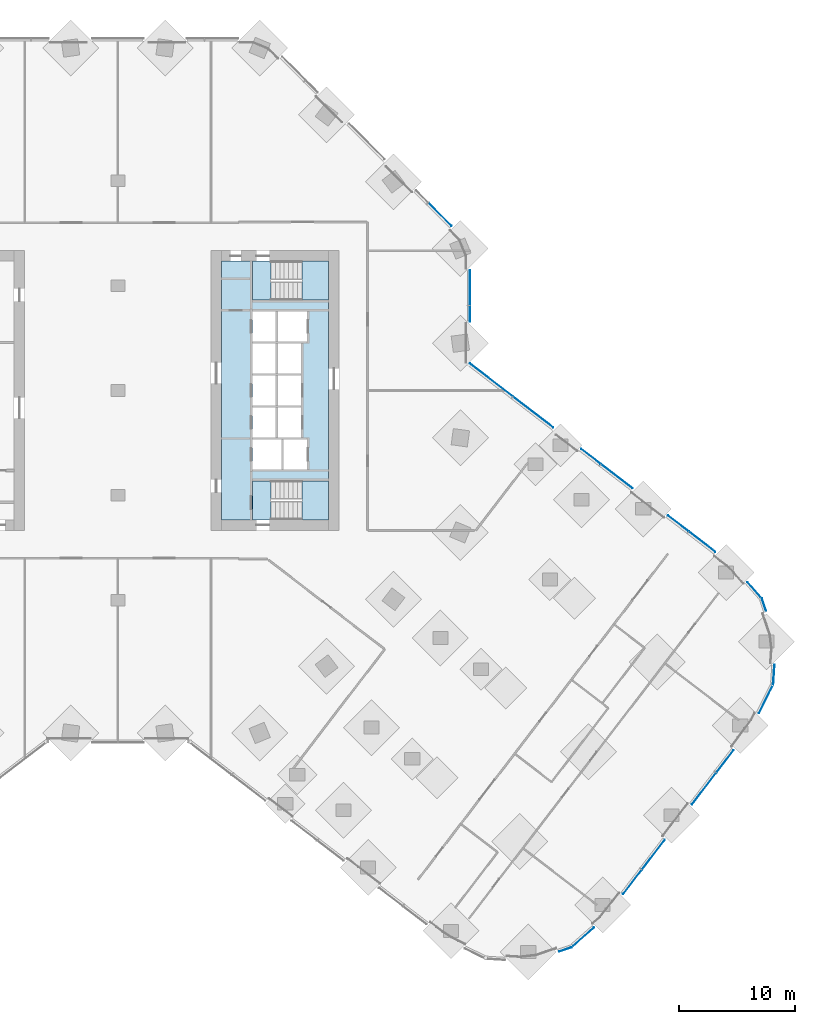
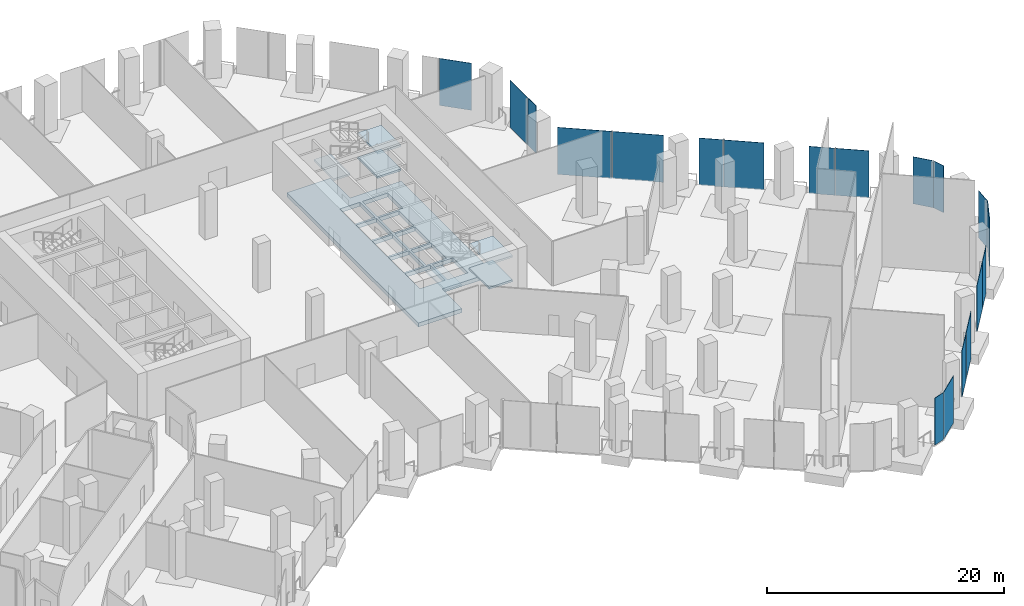
# One storey, part 16 of 27: 19 plates, 7 slabs, 12 elements without a shape of their own.
"""IFC4 building model written with IfcOpenShell, lengths in metres."""

from ifc_helpers import new_model, si_unit, direction, frame, origin, origin_2d, place, context, subcontext, project, spatial, polyline, rectangle, outline, extrude, material, layer, layer_set, type_object, element, aggregate, save


model = new_model("IFC4")

# Units and contexts
model_context = context("Model", 3, precision=1e-05, world=origin(), true_north=direction((0.0, 1.0)))
body_context = subcontext(model_context, "Body", "Model", "MODEL_VIEW")
ifc_project = project(units=[si_unit("LENGTHUNIT", "METRE"), si_unit("AREAUNIT", "SQUARE_METRE"), si_unit("VOLUMEUNIT", "CUBIC_METRE"), si_unit("PLANEANGLEUNIT", "RADIAN"), si_unit("MASSUNIT", "GRAM", prefix="KILO")], contexts=[model_context])

# Site, building, storey
site_placement = place(None, origin())
site = spatial("IfcSite", under=ifc_project, at=site_placement, CompositionType="ELEMENT")
building_placement = place(site_placement, origin())
building = spatial("IfcBuilding", under=site, at=building_placement, Name="Orlundy Tower", CompositionType="ELEMENT")
storey_placement = place(building_placement, frame((0.0, 0.0, 10.5)))
storey = spatial("IfcBuildingStorey", under=building, at=storey_placement, Name="L01", CompositionType="ELEMENT", Elevation=10.5)

# Curtain wall, plate
ifc_material_1 = material(Name="Aluminium bronze anodised", Category="aluminium")
curtain_wall_type = type_object("IfcCurtainWallType", Name="CW2 wall", PredefinedType="NOTDEFINED", material=ifc_material_1)
curtain_wall_1_placement = place(storey_placement, origin())
curtain_wall_1 = element("IfcCurtainWall", 1, at=curtain_wall_1_placement, inside=storey, type_object=curtain_wall_type, Name="CW2 run 016", PredefinedType="NOTDEFINED")
ifc_material_2 = material(Name="Tinted glass", Category="glass")
ifc_layer_1 = layer(ifc_material_2, 0.0380859375)
ifc_layer_set_1 = layer_set([ifc_layer_1], Name="CW2 glass panel 38")
plate_type = type_object("IfcPlateType", Name="CW2 glass panel 38", PredefinedType="CURTAIN_PANEL", material=ifc_layer_set_1)
plate_1_placement = place(storey_placement, frame((27.655029296875, 15.09765625, -0.25), z_axis=(0.0, 0.0, 1.0), x_axis=(0.707106781187, -0.707106781187, 0.0)))
plate_1 = element("IfcPlate", 2, at=plate_1_placement, type_object=plate_type, Name="CW2 panel", PredefinedType="CURTAIN_PANEL", context=body_context, shape_type="SweptSolid", body=[
    extrude(rectangle(XDim=2.796875, YDim=0.0380859375, at=origin_2d()), origin(), (0.0, 0.0, 1.0), 4.85009765625),
])
aggregate(curtain_wall_1, [plate_1])

# Curtain wall, plates
curtain_wall_2_placement = place(storey_placement, origin())
curtain_wall_2 = element("IfcCurtainWall", 3, at=curtain_wall_2_placement, inside=storey, type_object=curtain_wall_type, Name="CW2 run 017", PredefinedType="NOTDEFINED")
plate_2_placement = place(storey_placement, frame((30.23095703125, 8.827392578125, -0.25), z_axis=(0.0, 0.0, 1.0), x_axis=(0.0, -1.0, 0.0)))
plate_2 = element("IfcPlate", 4, at=plate_2_placement, type_object=plate_type, Name="CW2 panel", PredefinedType="CURTAIN_PANEL", context=body_context, shape_type="SweptSolid", body=[
    extrude(rectangle(XDim=2.989013671875, YDim=0.0380859375, at=origin_2d()), origin(), (0.0, 0.0, 1.0), 4.85009765625),
])
plate_3_placement = place(storey_placement, frame((30.23095703125, 6.59912109375, -0.25), z_axis=(0.0, 0.0, 1.0), x_axis=(0.0, -1.0, 0.0)))
plate_3 = element("IfcPlate", 5, at=plate_3_placement, type_object=plate_type, Name="CW2 panel", PredefinedType="CURTAIN_PANEL", context=body_context, shape_type="SweptSolid", body=[
    extrude(rectangle(XDim=1.367919921875, YDim=0.0380859375, at=origin_2d()), origin(), (0.0, 0.0, 1.0), 4.85009765625),
])
aggregate(curtain_wall_2, [plate_2, plate_3])

curtain_wall_3_placement = place(storey_placement, origin())
curtain_wall_3 = element("IfcCurtainWall", 6, at=curtain_wall_3_placement, inside=storey, type_object=curtain_wall_type, Name="CW2 run 018", PredefinedType="NOTDEFINED")
plate_4_placement = place(storey_placement, frame((32.062255859375, 0.898681640625, -0.25), z_axis=(0.0, 0.0, 1.0), x_axis=(0.793340030598, -0.608778774146, 0.0)))
plate_4 = element("IfcPlate", 7, at=plate_4_placement, type_object=plate_type, Name="CW2 panel", PredefinedType="CURTAIN_PANEL", context=body_context, shape_type="SweptSolid", body=[
    extrude(rectangle(XDim=4.616455078125, YDim=0.0380859375, at=origin_2d()), origin(), (0.0, 0.0, 1.0), 4.85009765625),
])
plate_5_placement = place(storey_placement, frame((35.658203125, -1.860595703125, -0.25), z_axis=(0.0, 0.0, 1.0), x_axis=(0.793340030598, -0.608778774146, 0.0)))
plate_5 = element("IfcPlate", 8, at=plate_5_placement, type_object=plate_type, Name="CW2 panel", PredefinedType="CURTAIN_PANEL", context=body_context, shape_type="SweptSolid", body=[
    extrude(rectangle(XDim=4.348876953125, YDim=0.0380859375, at=origin_2d()), origin(), (0.0, 0.0, 1.0), 4.85009765625),
])
plate_6_placement = place(storey_placement, frame((40.611328125, -5.66162109375, -0.25), z_axis=(0.0, 0.0, 1.0), x_axis=(0.793340030598, -0.608778774146, 0.0)))
plate_6 = element("IfcPlate", 9, at=plate_6_placement, type_object=plate_type, Name="CW2 panel", PredefinedType="CURTAIN_PANEL", context=body_context, shape_type="SweptSolid", body=[
    extrude(rectangle(XDim=2.086181640625, YDim=0.0380859375, at=origin_2d()), origin(), (0.0, 0.0, 1.0), 4.85009765625),
])
plate_7_placement = place(storey_placement, frame((42.82763671875, -7.362060546875, -0.25), z_axis=(0.0, 0.0, 1.0), x_axis=(0.793340030598, -0.608778774146, 0.0)))
plate_7 = element("IfcPlate", 10, at=plate_7_placement, type_object=plate_type, Name="CW2 panel", PredefinedType="CURTAIN_PANEL", context=body_context, shape_type="SweptSolid", body=[
    extrude(rectangle(XDim=3.40087890625, YDim=0.0380859375, at=origin_2d()), origin(), (0.0, 0.0, 1.0), 4.85009765625),
])
plate_8_placement = place(storey_placement, frame((48.100830078125, -11.40869140625, -0.25), z_axis=(0.0, 0.0, 1.0), x_axis=(0.793340030598, -0.608778774146, 0.0)))
plate_8 = element("IfcPlate", 11, at=plate_8_placement, type_object=plate_type, Name="CW2 panel", PredefinedType="CURTAIN_PANEL", context=body_context, shape_type="SweptSolid", body=[
    extrude(rectangle(XDim=2.22705078125, YDim=0.0380859375, at=origin_2d()), origin(), (0.0, 0.0, 1.0), 4.85009765625),
])
plate_9_placement = place(storey_placement, frame((50.156982421875, -12.986572265625, -0.25), z_axis=(0.0, 0.0, 1.0), x_axis=(0.793340030598, -0.608778774146, 0.0)))
plate_9 = element("IfcPlate", 12, at=plate_9_placement, type_object=plate_type, Name="CW2 panel", PredefinedType="CURTAIN_PANEL", context=body_context, shape_type="SweptSolid", body=[
    extrude(rectangle(XDim=2.8564453125, YDim=0.0380859375, at=origin_2d()), origin(), (0.0, 0.0, 1.0), 4.85009765625),
])
aggregate(curtain_wall_3, [plate_4, plate_5, plate_6, plate_7, plate_8, plate_9])

# Curtain wall, plate
curtain_wall_4_placement = place(storey_placement, origin())
curtain_wall_4 = element("IfcCurtainWall", 13, at=curtain_wall_4_placement, inside=storey, type_object=curtain_wall_type, Name="CW2 run 019", PredefinedType="NOTDEFINED")
plate_10_placement = place(storey_placement, frame((54.673583984375, -17.153076171875, -0.25), z_axis=(0.0, 0.0, 1.0), x_axis=(0.65932547196, -0.751857647447, 0.0)))
plate_10 = element("IfcPlate", 14, at=plate_10_placement, type_object=plate_type, Name="CW2 panel", PredefinedType="CURTAIN_PANEL", context=body_context, shape_type="SweptSolid", body=[
    extrude(rectangle(XDim=1.851806640625, YDim=0.0380859375, at=origin_2d()), origin(), (0.0, 0.0, 1.0), 4.85009765625),
])
aggregate(curtain_wall_4, [plate_10])

curtain_wall_5_placement = place(storey_placement, origin())
curtain_wall_5 = element("IfcCurtainWall", 15, at=curtain_wall_5_placement, inside=storey, type_object=curtain_wall_type, Name="CW2 run 020", PredefinedType="NOTDEFINED")
plate_11_placement = place(storey_placement, frame((55.462890625, -18.376220703125, -0.25), z_axis=(0.0, 0.0, 1.0), x_axis=(0.321564171921, -0.946887788144, 0.0)))
plate_11 = element("IfcPlate", 16, at=plate_11_placement, type_object=plate_type, Name="CW2 panel", PredefinedType="CURTAIN_PANEL", context=body_context, shape_type="SweptSolid", body=[
    extrude(rectangle(XDim=1.113037109375, YDim=0.0380859375, at=origin_2d()), origin(), (0.0, 0.0, 1.0), 4.85009765625),
])
aggregate(curtain_wall_5, [plate_11])

curtain_wall_6_placement = place(storey_placement, origin())
curtain_wall_6 = element("IfcCurtainWall", 17, at=curtain_wall_6_placement, inside=storey, type_object=curtain_wall_type, Name="CW2 run 021", PredefinedType="NOTDEFINED")
plate_12_placement = place(storey_placement, frame((56.311767578125, -24.393798828125, -0.25), z_axis=(0.0, 0.0, 1.0), x_axis=(-0.065569783834, -0.997847986142, 0.0)))
plate_12 = element("IfcPlate", 18, at=plate_12_placement, type_object=plate_type, Name="CW2 panel", PredefinedType="CURTAIN_PANEL", context=body_context, shape_type="SweptSolid", body=[
    extrude(rectangle(XDim=1.687744140625, YDim=0.0380859375, at=origin_2d()), origin(), (0.0, 0.0, 1.0), 4.85009765625),
])
aggregate(curtain_wall_6, [plate_12])

curtain_wall_7_placement = place(storey_placement, origin())
curtain_wall_7 = element("IfcCurtainWall", 19, at=curtain_wall_7_placement, inside=storey, type_object=curtain_wall_type, Name="CW2 run 022", PredefinedType="NOTDEFINED")
plate_13_placement = place(storey_placement, frame((55.649658203125, -26.467041015625, -0.25), z_axis=(0.0, 0.0, 1.0), x_axis=(-0.442134938063, -0.896948547323, 0.0)))
plate_13 = element("IfcPlate", 20, at=plate_13_placement, type_object=plate_type, Name="CW2 panel", PredefinedType="CURTAIN_PANEL", context=body_context, shape_type="SweptSolid", body=[
    extrude(rectangle(XDim=2.744873046875, YDim=0.0380859375, at=origin_2d()), origin(), (0.0, 0.0, 1.0), 4.85009765625),
])
aggregate(curtain_wall_7, [plate_13])

# Curtain wall, plates
curtain_wall_8_placement = place(storey_placement, origin())
curtain_wall_8 = element("IfcCurtainWall", 21, at=curtain_wall_8_placement, inside=storey, type_object=curtain_wall_type, Name="CW2 run 023", PredefinedType="NOTDEFINED")
plate_14_placement = place(storey_placement, frame((52.122802734375, -31.833984375, -0.25), z_axis=(0.0, 0.0, 1.0), x_axis=(-0.60877139118, -0.793345695949, 0.0)))
plate_14 = element("IfcPlate", 22, at=plate_14_placement, type_object=plate_type, Name="CW2 panel", PredefinedType="CURTAIN_PANEL", context=body_context, shape_type="SweptSolid", body=[
    extrude(rectangle(XDim=2.3994140625, YDim=0.0380859375, at=origin_2d()), origin(), (0.0, 0.0, 1.0), 4.85009765625),
])
plate_15_placement = place(storey_placement, frame((50.321533203125, -34.181396484375, -0.25), z_axis=(0.0, 0.0, 1.0), x_axis=(-0.60877139118, -0.793345695949, 0.0)))
plate_15 = element("IfcPlate", 23, at=plate_15_placement, type_object=plate_type, Name="CW2 panel", PredefinedType="CURTAIN_PANEL", context=body_context, shape_type="SweptSolid", body=[
    extrude(rectangle(XDim=3.418212890625, YDim=0.0380859375, at=origin_2d()), origin(), (0.0, 0.0, 1.0), 4.85009765625),
])
plate_16_placement = place(storey_placement, frame((45.97412109375, -39.846923828125, -0.25), z_axis=(0.0, 0.0, 1.0), x_axis=(-0.60877139118, -0.793345695949, 0.0)))
plate_16 = element("IfcPlate", 24, at=plate_16_placement, type_object=plate_type, Name="CW2 panel", PredefinedType="CURTAIN_PANEL", context=body_context, shape_type="SweptSolid", body=[
    extrude(rectangle(XDim=3.198974609375, YDim=0.0380859375, at=origin_2d()), origin(), (0.0, 0.0, 1.0), 4.85009765625),
])
plate_17_placement = place(storey_placement, frame((44.173095703125, -42.19384765625, -0.25), z_axis=(0.0, 0.0, 1.0), x_axis=(-0.60877139118, -0.793345695949, 0.0)))
plate_17 = element("IfcPlate", 25, at=plate_17_placement, type_object=plate_type, Name="CW2 panel", PredefinedType="CURTAIN_PANEL", context=body_context, shape_type="SweptSolid", body=[
    extrude(rectangle(XDim=2.617919921875, YDim=0.0380859375, at=origin_2d()), origin(), (0.0, 0.0, 1.0), 4.85009765625),
])
aggregate(curtain_wall_8, [plate_14, plate_15, plate_16, plate_17])

# Curtain wall, plate
curtain_wall_9_placement = place(storey_placement, origin())
curtain_wall_9 = element("IfcCurtainWall", 26, at=curtain_wall_9_placement, inside=storey, type_object=curtain_wall_type, Name="CW2 run 024", PredefinedType="NOTDEFINED")
plate_18_placement = place(storey_placement, frame((39.90673828125, -46.957275390625, -0.25), z_axis=(0.0, 0.0, 1.0), x_axis=(-0.751857647447, -0.65932547196, 0.0)))
plate_18 = element("IfcPlate", 27, at=plate_18_placement, type_object=plate_type, Name="CW2 panel", PredefinedType="CURTAIN_PANEL", context=body_context, shape_type="SweptSolid", body=[
    extrude(rectangle(XDim=2.580322265625, YDim=0.0380859375, at=origin_2d()), origin(), (0.0, 0.0, 1.0), 4.85009765625),
])
aggregate(curtain_wall_9, [plate_18])

curtain_wall_10_placement = place(storey_placement, origin())
curtain_wall_10 = element("IfcCurtainWall", 28, at=curtain_wall_10_placement, inside=storey, type_object=curtain_wall_type, Name="CW2 run 025", PredefinedType="NOTDEFINED")
plate_19_placement = place(storey_placement, frame((38.409912109375, -47.98681640625, -0.25), z_axis=(0.0, 0.0, 1.0), x_axis=(-0.946887788144, -0.321564171921, 0.0)))
plate_19 = element("IfcPlate", 29, at=plate_19_placement, type_object=plate_type, Name="CW2 panel", PredefinedType="CURTAIN_PANEL", context=body_context, shape_type="SweptSolid", body=[
    extrude(rectangle(XDim=1.113037109375, YDim=0.0380859375, at=origin_2d()), origin(), (0.0, 0.0, 1.0), 4.85009765625),
])
aggregate(curtain_wall_10, [plate_19])

# Slab
ifc_material_3 = material(Name="Concrete C50/60", Category="concrete")
ifc_layer_2 = layer(ifc_material_3, 0.409912109375)
ifc_layer_set_2 = layer_set([ifc_layer_2], Name="Core Floor Slab 410")
slab_type_1 = type_object("IfcSlabType", Name="Core Floor Slab 410", PredefinedType="FLOOR", material=ifc_layer_set_2)
slab_1_placement = place(storey_placement, frame((0.0, 0.0, -0.409912109375)))
element("IfcSlab", 30, at=slab_1_placement, inside=storey, type_object=slab_type_1, Name="Core floor E02", PredefinedType="FLOOR", context=body_context, shape_type="SweptSolid", body=[
    extrude(outline(polyline([(8.89990234375, 11.10009765625), (13.14501953125, 11.10009765625), (13.14501953125, 7.75), (18.10009765625, 7.75), (18.10009765625, -7.75), (13.14501953125, -7.75), (13.14501953125, -11.10009765625), (8.89990234375, -11.10009765625), (8.89990234375, 11.10009765625)]), holes=[polyline([(11.5400390625, 6.77490234375), (11.5400390625, 4.22509765625), (13.5400390625, 4.22509765625), (13.5400390625, 6.77490234375), (11.5400390625, 6.77490234375)]), polyline([(16.239990234375, 6.77490234375), (13.739990234375, 6.77490234375), (13.739990234375, 4.22509765625), (16.239990234375, 4.22509765625), (16.239990234375, 6.77490234375)]), polyline([(13.5400390625, 1.47509765625), (13.5400390625, 4.02490234375), (11.5400390625, 4.02490234375), (11.5400390625, 1.47509765625), (13.5400390625, 1.47509765625)]), polyline([(13.739990234375, 1.47509765625), (15.739990234375, 1.47509765625), (15.739990234375, 4.02490234375), (13.739990234375, 4.02490234375), (13.739990234375, 1.47509765625)]), polyline([(11.5400390625, 1.27490234375), (11.5400390625, -1.27490234375), (13.5400390625, -1.27490234375), (13.5400390625, 1.27490234375), (11.5400390625, 1.27490234375)]), polyline([(15.739990234375, 1.27490234375), (13.739990234375, 1.27490234375), (13.739990234375, -1.27490234375), (15.739990234375, -1.27490234375), (15.739990234375, 1.27490234375)]), polyline([(13.5400390625, -4.02490234375), (13.5400390625, -1.47509765625), (11.5400390625, -1.47509765625), (11.5400390625, -4.02490234375), (13.5400390625, -4.02490234375)]), polyline([(13.739990234375, -4.02490234375), (15.739990234375, -4.02490234375), (15.739990234375, -1.47509765625), (13.739990234375, -1.47509765625), (13.739990234375, -4.02490234375)]), polyline([(11.5400390625, -4.22509765625), (11.5400390625, -6.77490234375), (14.0400390625, -6.77490234375), (14.0400390625, -4.22509765625), (11.5400390625, -4.22509765625)]), polyline([(16.239990234375, -4.22509765625), (14.239990234375, -4.22509765625), (14.239990234375, -6.77490234375), (16.239990234375, -6.77490234375), (16.239990234375, -4.22509765625)])]), origin(), (0.0, 0.0, 1.0), 0.409912109375),
])

# Stair, slabs
ifc_material_4 = material(Name="Concrete C50/60", Category="concrete")
stair_type = type_object("IfcStairType", Name="Exit Stair 32 risers", PredefinedType="HALF_TURN_STAIR", material=ifc_material_4)
stair_1_placement = place(storey_placement, origin())
stair_1 = element("IfcStair", 31, at=stair_1_placement, inside=storey, type_object=stair_type, Name="L01 Exit Stair ST-E1", PredefinedType="HALF_TURN_STAIR")
ifc_material_5 = material(Name="Concrete C50/60", Category="concrete")
ifc_layer_3 = layer(ifc_material_5, 0.199951171875)
ifc_layer_set_3 = layer_set([ifc_layer_3], Name="Exit Stair Landing")
slab_type_2 = type_object("IfcSlabType", Name="Exit Stair Landing", PredefinedType="LANDING", material=ifc_layer_set_3)
slab_2_placement = place(storey_placement, frame((0.0, 0.0, 1.050048828125)))
slab_2 = element("IfcSlab", 32, at=slab_2_placement, type_object=slab_type_2, Name="ST-E1 landing 1", PredefinedType="LANDING", context=body_context, shape_type="SweptSolid", body=[
    extrude(outline(polyline([(15.800048828125, -11.10009765625), (18.10009765625, -11.10009765625), (18.10009765625, -7.75), (15.800048828125, -7.75), (15.800048828125, -11.10009765625)])), origin(), (0.0, 0.0, 1.0), 0.199951171875),
])
slab_3_placement = place(storey_placement, frame((0.0, 0.0, 2.300048828125)))
slab_3 = element("IfcSlab", 33, at=slab_3_placement, type_object=slab_type_2, Name="ST-E1 landing 2", PredefinedType="LANDING", context=body_context, shape_type="SweptSolid", body=[
    extrude(outline(polyline([(11.5400390625, -11.10009765625), (13.139892578125, -11.10009765625), (13.139892578125, -7.75), (11.5400390625, -7.75), (11.5400390625, -11.10009765625)])), origin(), (0.0, 0.0, 1.0), 0.199951171875),
])
slab_4_placement = place(storey_placement, frame((0.0, 0.0, 3.550048828125)))
slab_4 = element("IfcSlab", 34, at=slab_4_placement, type_object=slab_type_2, Name="ST-E1 landing 3", PredefinedType="LANDING", context=body_context, shape_type="SweptSolid", body=[
    extrude(outline(polyline([(15.800048828125, -11.10009765625), (18.10009765625, -11.10009765625), (18.10009765625, -7.75), (15.800048828125, -7.75), (15.800048828125, -11.10009765625)])), origin(), (0.0, 0.0, 1.0), 0.199951171875),
])
aggregate(stair_1, [slab_2, slab_3, slab_4])

stair_2_placement = place(storey_placement, origin())
stair_2 = element("IfcStair", 35, at=stair_2_placement, inside=storey, type_object=stair_type, Name="L01 Exit Stair ST-E2", PredefinedType="HALF_TURN_STAIR")
slab_5_placement = place(storey_placement, frame((0.0, 0.0, 1.050048828125)))
slab_5 = element("IfcSlab", 36, at=slab_5_placement, type_object=slab_type_2, Name="ST-E2 landing 1", PredefinedType="LANDING", context=body_context, shape_type="SweptSolid", body=[
    extrude(outline(polyline([(15.800048828125, 7.75), (18.10009765625, 7.75), (18.10009765625, 11.10009765625), (15.800048828125, 11.10009765625), (15.800048828125, 7.75)])), origin(), (0.0, 0.0, 1.0), 0.199951171875),
])
slab_6_placement = place(storey_placement, frame((0.0, 0.0, 2.300048828125)))
slab_6 = element("IfcSlab", 37, at=slab_6_placement, type_object=slab_type_2, Name="ST-E2 landing 2", PredefinedType="LANDING", context=body_context, shape_type="SweptSolid", body=[
    extrude(outline(polyline([(11.5400390625, 7.75), (13.139892578125, 7.75), (13.139892578125, 11.10009765625), (11.5400390625, 11.10009765625), (11.5400390625, 7.75)])), origin(), (0.0, 0.0, 1.0), 0.199951171875),
])
slab_7_placement = place(storey_placement, frame((0.0, 0.0, 3.550048828125)))
slab_7 = element("IfcSlab", 38, at=slab_7_placement, type_object=slab_type_2, Name="ST-E2 landing 3", PredefinedType="LANDING", context=body_context, shape_type="SweptSolid", body=[
    extrude(outline(polyline([(15.800048828125, 7.75), (18.10009765625, 7.75), (18.10009765625, 11.10009765625), (15.800048828125, 11.10009765625), (15.800048828125, 7.75)])), origin(), (0.0, 0.0, 1.0), 0.199951171875),
])
aggregate(stair_2, [slab_5, slab_6, slab_7])

save(model, "model.ifc")
